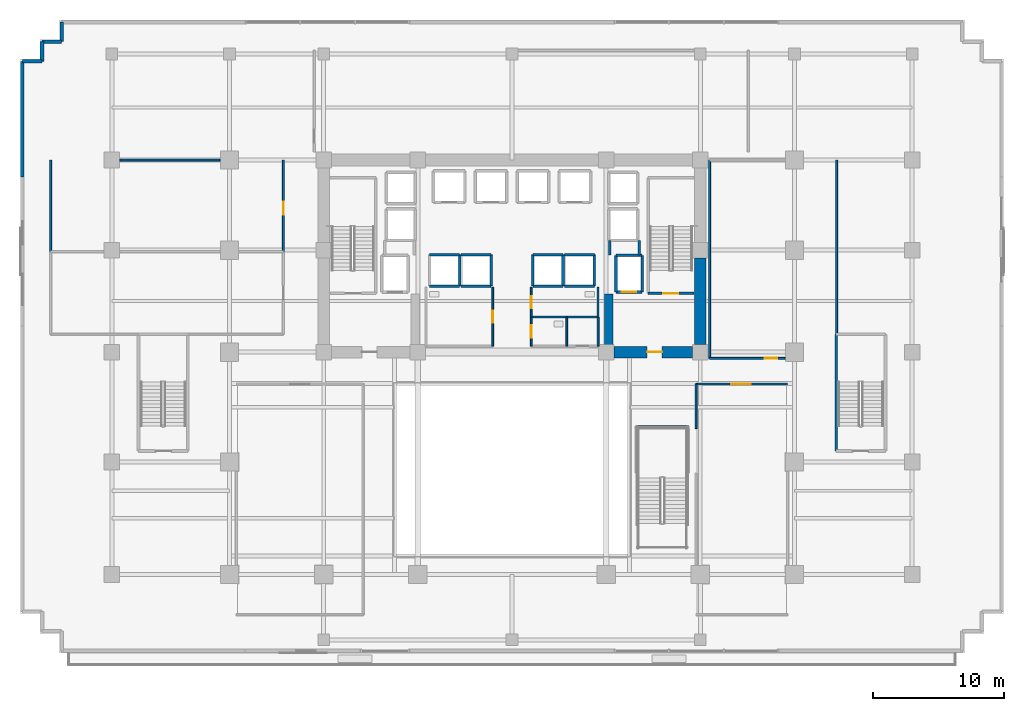
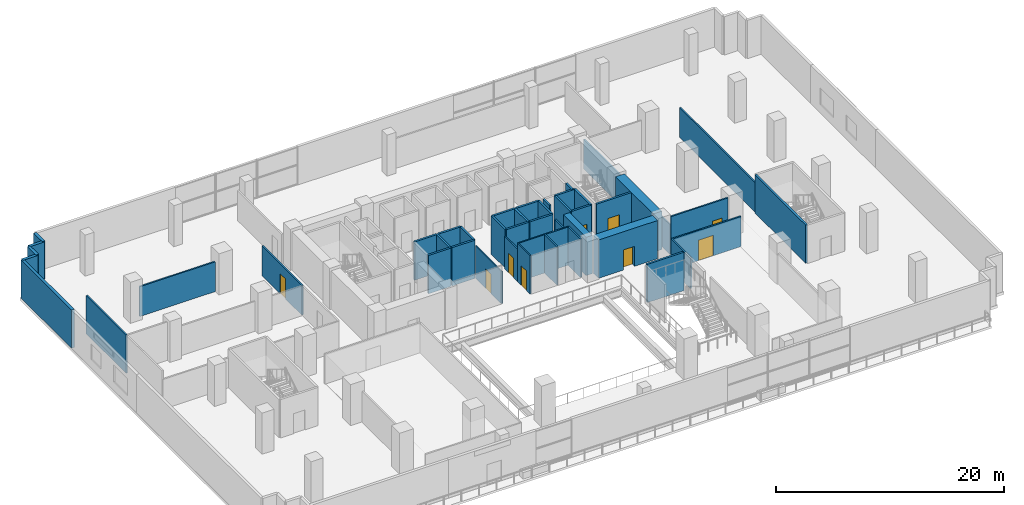
# One storey, part 13 of 22: 45 walls, 9 doors, 9 openings.
"""IFC4 building model written with IfcOpenShell, lengths in metres."""

from ifc_helpers import new_model, si_unit, direction, frame, frame_2d, origin, place, context, subcontext, project, spatial, rectangle, extrude, source, transform, mapped, material, layer, layer_set, type_object, element, fill, save


model = new_model("IFC4")

# Units and contexts
model_context = context("Model", 3, precision=1e-05, world=origin(), true_north=direction((0.0, 1.0)))
body_context = subcontext(model_context, "Body", "Model", "MODEL_VIEW")
ifc_project = project(units=[si_unit("LENGTHUNIT", "METRE"), si_unit("AREAUNIT", "SQUARE_METRE"), si_unit("VOLUMEUNIT", "CUBIC_METRE"), si_unit("PLANEANGLEUNIT", "RADIAN"), si_unit("MASSUNIT", "GRAM", prefix="KILO")], contexts=[model_context])

# Site, building, storey
site_placement = place(None, origin())
site = spatial("IfcSite", under=ifc_project, at=site_placement, CompositionType="ELEMENT")
building_placement = place(site_placement, origin())
building = spatial("IfcBuilding", under=site, at=building_placement, Name="Zarnakvel Exchange Tower", CompositionType="ELEMENT")
storey_placement = place(building_placement, frame((0.0, 0.0, 9.39990234375)))
storey = spatial("IfcBuildingStorey", under=building, at=storey_placement, Name="L02", CompositionType="ELEMENT", Elevation=9.39990234375)

# Wall
ifc_material_1 = material(Name="Concrete C80/95", Category="concrete")
ifc_layer_1 = layer(ifc_material_1, 0.89990234375)
ifc_layer_set_1 = layer_set([ifc_layer_1], Name="Concrete C80/95")
wall_type_1 = type_object("IfcWallType", Name="CW-C1", PredefinedType="SHEAR", material=ifc_layer_set_1)
wall_1_placement = place(storey_placement, frame((14.39990234375, -0.60009765625, 0.0), z_axis=(0.0, 0.0, 1.0), x_axis=(0.0, 1.0, 0.0)))
element("IfcWall", 1, at=wall_1_placement, inside=storey, type_object=wall_type_1, Name="L02 Rear Core Shear Wall E1 (CW-C1)", PredefinedType="SHEAR", context=body_context, shape_type="SweptSolid", body=[
    extrude(rectangle(XDim=6.60009765625, YDim=0.89990234375, at=frame_2d((3.300048828125, 0.0))), origin(), (0.0, 0.0, 1.0), 4.10009765625),
])

# Wall, opening, door
wall_2_placement = place(storey_placement, frame((13.800048828125, -1.199951171875, 0.0), z_axis=(0.0, 0.0, 1.0), x_axis=(-1.0, 0.0, 0.0)))
wall_2 = element("IfcWall", 2, at=wall_2_placement, inside=storey, type_object=wall_type_1, Name="L02 Rear Core Shear Wall SE (CW-C1)", PredefinedType="SHEAR", context=body_context, shape_type="SweptSolid", body=[
    extrude(rectangle(XDim=6.0, YDim=0.89990234375, at=frame_2d((3.0, 0.0))), origin(), (0.0, 0.0, 1.0), 4.10009765625),
])
opening_1_placement = place(wall_2_placement, frame((2.324951171875, 0.0, 0.0)))
opening_1 = element("IfcOpeningElement", 3, at=opening_1_placement, cuts=wall_2, Name="Opening D-L02-04", PredefinedType="OPENING", context=body_context, shape_type="SweptSolid", body=[
    extrude(rectangle(XDim=1.14990234375, YDim=2.14990234375, at=frame_2d((0.574951171875, 1.074951171875))), frame((0.0, 0.4599609375, 0.0), z_axis=(0.0, -1.0, 0.0), x_axis=(1.0, 0.0, 0.0)), (0.0, 0.0, 1.0), 0.919921875),
])
ifc_material_2 = material(Name="Painted Galvanised Steel S355", Category="steel")
door_type_1 = type_object("IfcDoorType", Name="DT-04", OperationType="NOTDEFINED", PredefinedType="DOOR", material=ifc_material_2)
shared_shape_1 = source(origin(), body_context, "Body", "SweptSolid", [
    extrude(rectangle(XDim=1.14990234375, YDim=2.14990234375, at=frame_2d((0.574951171875, 1.074951171875))), frame((0.0, 0.02490234375, 0.0), z_axis=(0.0, -1.0, 0.0), x_axis=(1.0, 0.0, 0.0)), (0.0, 0.0, 1.0), 0.050048828125),
])
door_1_placement = place(opening_1_placement, origin())
door_1 = element("IfcDoor", 4, at=door_1_placement, inside=storey, type_object=door_type_1, Name="L02 Firefighting Lobby East Door D-L02-04", OperationType="SINGLE_SWING_RIGHT", OverallHeight=2.14990234375, OverallWidth=1.14990234375, PredefinedType="DOOR", context=body_context, shape_type="MappedRepresentation", body=[
    mapped(shared_shape_1, transform((0.0, 0.0, 0.0), x_axis=(1.0, 0.0, 0.0), y_axis=(0.0, 1.0, 0.0), z_axis=(0.0, 0.0, 1.0), scale=1.0)),
])
fill(opening_1, door_1)

# Walls
ifc_layer_2 = layer(ifc_material_1, 0.64990234375)
ifc_layer_set_2 = layer_set([ifc_layer_2], Name="Concrete C80/95")
wall_type_2 = type_object("IfcWallType", Name="CW-C2", PredefinedType="SHEAR", material=ifc_layer_set_2)
wall_3_placement = place(storey_placement, frame((7.39990234375, -0.75, 0.0), z_axis=(0.0, 0.0, 1.0), x_axis=(0.0, 1.0, 0.0)))
element("IfcWall", 5, at=wall_3_placement, inside=storey, type_object=wall_type_2, Name="L02 Rear Core Shear Wall IE (CW-C2)", PredefinedType="SHEAR", context=body_context, shape_type="SweptSolid", body=[
    extrude(rectangle(XDim=4.0, YDim=0.64990234375, at=frame_2d((2.0, 0.0))), origin(), (0.0, 0.0, 1.0), 4.10009765625),
])
ifc_material_3 = material(Name="Precast concrete C40/50", Category="concrete")
ifc_layer_3 = layer(ifc_material_3, 0.280029296875)
ifc_layer_set_3 = layer_set([ifc_layer_3], Name="Precast concrete C40/50")
wall_type_3 = type_object("IfcWallType", Name="EW-01", PredefinedType="SOLIDWALL", material=ifc_layer_set_3)
wall_4_placement = place(storey_placement, frame((-37.43994140625, 21.0400390625, 0.0), z_axis=(0.0, 0.0, 1.0), x_axis=(0.0, -1.0, 0.0)))
element("IfcWall", 6, at=wall_4_placement, inside=storey, type_object=wall_type_3, Name="L02 Exterior Precast Spandrel Wall EWC-L02-02 (EW-01)", PredefinedType="SOLIDWALL", context=body_context, shape_type="SweptSolid", body=[
    extrude(rectangle(XDim=8.840087890625, YDim=0.280029296875, at=frame_2d((4.419921875, 0.0))), origin(), (0.0, 0.0, 1.0), 4.10009765625),
])
for number, where, z_axis, x_axis, name in (
    (7, (-35.93994140625, 21.0400390625, 0.0), (0.0, 0.0, 1.0), (-1.0, 0.0, 0.0), "L02 Exterior Precast Spandrel Wall EWC-L02-03 (EW-01)"),
    (8, (-35.93994140625, 22.5400390625, 0.0), (0.0, 0.0, 1.0), (0.0, -1.0, 0.0), "L02 Exterior Precast Spandrel Wall EWC-L02-04 (EW-01)"),
    (9, (-34.43994140625, 22.5400390625, 0.0), (0.0, 0.0, 1.0), (-1.0, 0.0, 0.0), "L02 Exterior Precast Spandrel Wall EWC-L02-05 (EW-01)"),
    (10, (-34.43994140625, 24.0400390625, 0.0), (0.0, 0.0, 1.0), (0.0, -1.0, 0.0), "L02 Exterior Precast Spandrel Wall EWC-L02-06 (EW-01)"),
):
    element("IfcWall", number, at=place(storey_placement, frame(where, z_axis=z_axis, x_axis=x_axis)), inside=storey, type_object=wall_type_3, Name=name, PredefinedType="SOLIDWALL", context=body_context, shape_type="SweptSolid", body=[
        extrude(rectangle(XDim=1.5, YDim=0.280029296875, at=frame_2d((0.75, 0.0))), origin(), (0.0, 0.0, 1.0), 4.10009765625),
    ])
ifc_material_4 = material(Name="Fire-Rated Gypsum Stud Partition", Category="gypsum")
ifc_layer_4 = layer(ifc_material_4, 0.14990234375)
ifc_layer_set_4 = layer_set([ifc_layer_4], Name="Fire-Rated Gypsum Stud Partition")
wall_type_4 = type_object("IfcWallType", Name="PT-01", PredefinedType="PARTITIONING", material=ifc_layer_set_4)
wall_5_placement = place(storey_placement, frame((6.580078125, 1.47998046875, 0.0), z_axis=(0.0, 0.0, 1.0), x_axis=(0.0, -1.0, 0.0)))
element("IfcWall", 11, at=wall_5_placement, inside=storey, type_object=wall_type_4, Name="L02 Partition Wall PWALL-L02-021 (PT-01)", PredefinedType="PARTITIONING", context=body_context, shape_type="SweptSolid", body=[
    extrude(rectangle(XDim=2.2099609375, YDim=0.14990234375, at=frame_2d((1.10498046875, 0.0))), origin(), (0.0, 0.0, 1.0), 4.10009765625),
])

# Wall, opening, door
wall_6_placement = place(storey_placement, frame((14.080078125, -3.6298828125, 0.0), z_axis=(0.0, 0.0, 1.0), x_axis=(1.0, 0.0, 0.0)))
wall_6 = element("IfcWall", 12, at=wall_6_placement, inside=storey, type_object=wall_type_4, Name="L02 Partition Wall PWALL-L02-035 (PT-01)", PredefinedType="PARTITIONING", context=body_context, shape_type="SweptSolid", body=[
    extrude(rectangle(XDim=7.0, YDim=0.14990234375, at=frame_2d((3.5, 0.0))), origin(), (0.0, 0.0, 1.0), 3.2392578125),
])
opening_2_placement = place(wall_6_placement, frame((2.669921875, 0.0, 0.0)))
opening_2 = element("IfcOpeningElement", 13, at=opening_2_placement, cuts=wall_6, Name="Opening D-L02-12", PredefinedType="OPENING", context=body_context, shape_type="SweptSolid", body=[
    extrude(rectangle(XDim=1.5, YDim=2.199951171875, at=frame_2d((0.75, 1.10009765625))), frame((0.0, 0.0849609375, 0.0), z_axis=(0.0, -1.0, 0.0), x_axis=(1.0, 0.0, 0.0)), (0.0, 0.0, 1.0), 0.169921875),
])
ifc_material_5 = material(Name="Timber Acoustic Veneer", Category="wood")
door_type_2 = type_object("IfcDoorType", Name="DT-03", OperationType="NOTDEFINED", PredefinedType="DOOR", material=ifc_material_5)
shared_shape_2 = source(origin(), body_context, "Body", "SweptSolid", [
    extrude(rectangle(XDim=1.5, YDim=2.199951171875, at=frame_2d((0.75, 1.10009765625))), frame((0.0, 0.02490234375, 0.0), z_axis=(0.0, -1.0, 0.0), x_axis=(1.0, 0.0, 0.0)), (0.0, 0.0, 1.0), 0.050048828125),
])
door_2_placement = place(opening_2_placement, origin())
door_2 = element("IfcDoor", 14, at=door_2_placement, inside=storey, type_object=door_type_2, Name="L02 Market Heritage Gallery Door D-L02-12", OperationType="DOUBLE_DOOR_SINGLE_SWING", OverallHeight=2.199951171875, OverallWidth=1.5, PredefinedType="DOOR", context=body_context, shape_type="MappedRepresentation", body=[
    mapped(shared_shape_2, transform((0.0, 0.0, 0.0), x_axis=(1.0, 0.0, 0.0), y_axis=(0.0, 1.0, 0.0), z_axis=(0.0, 0.0, 1.0), scale=1.0)),
])
fill(opening_2, door_2)

# Walls
wall_7_placement = place(storey_placement, frame((14.080078125, -7.050048828125, 0.0), z_axis=(0.0, 0.0, 1.0), x_axis=(0.0, 1.0, 0.0)))
element("IfcWall", 15, at=wall_7_placement, inside=storey, type_object=wall_type_4, Name="L02 Partition Wall PWALL-L02-037 (PT-01)", PredefinedType="PARTITIONING", context=body_context, shape_type="SweptSolid", body=[
    extrude(rectangle(XDim=3.420166015625, YDim=0.14990234375, at=frame_2d((1.7099609375, 0.0))), origin(), (0.0, 0.0, 1.0), 3.2900390625),
])
wall_8_placement = place(storey_placement, frame((-29.97998046875, 13.47998046875, 0.0), z_axis=(0.0, 0.0, 1.0), x_axis=(1.0, 0.0, 0.0)))
element("IfcWall", 16, at=wall_8_placement, inside=storey, type_object=wall_type_4, Name="L02 Partition Wall PWALL-L02-046 (PT-01)", PredefinedType="PARTITIONING", context=body_context, shape_type="SweptSolid", body=[
    extrude(rectangle(XDim=7.659912109375, YDim=0.14990234375, at=frame_2d((3.830078125, 0.0))), origin(), (0.0, 0.0, 1.0), 3.190185546875),
])
wall_9_placement = place(storey_placement, frame((-35.280029296875, 6.47998046875, 0.0), z_axis=(0.0, 0.0, 1.0), x_axis=(0.0, 1.0, 0.0)))
element("IfcWall", 17, at=wall_9_placement, inside=storey, type_object=wall_type_4, Name="L02 Partition Wall PWALL-L02-047 (PT-01)", PredefinedType="PARTITIONING", context=body_context, shape_type="SweptSolid", body=[
    extrude(rectangle(XDim=7.0, YDim=0.14990234375, at=frame_2d((3.5, 0.0))), origin(), (0.0, 0.0, 1.0), 4.10009765625),
])

# Wall, opening, door
wall_10_placement = place(storey_placement, frame((-17.47998046875, 13.47998046875, 0.0), z_axis=(0.0, 0.0, 1.0), x_axis=(0.0, -1.0, 0.0)))
wall_10 = element("IfcWall", 18, at=wall_10_placement, inside=storey, type_object=wall_type_4, Name="L02 Partition Wall PWALL-L02-048 (PT-01)", PredefinedType="PARTITIONING", context=body_context, shape_type="SweptSolid", body=[
    extrude(rectangle(XDim=7.0, YDim=0.14990234375, at=frame_2d((3.5, 0.0))), origin(), (0.0, 0.0, 1.0), 3.190185546875),
])
opening_3_placement = place(wall_10_placement, frame((3.18994140625, 0.0, 0.0)))
opening_3 = element("IfcOpeningElement", 19, at=opening_3_placement, cuts=wall_10, Name="Opening D-L02-14", PredefinedType="OPENING", context=body_context, shape_type="SweptSolid", body=[
    extrude(rectangle(XDim=0.97998046875, YDim=2.14990234375, at=frame_2d((0.489990234375, 1.074951171875))), frame((0.0, 0.0849609375, 0.0), z_axis=(0.0, -1.0, 0.0), x_axis=(1.0, 0.0, 0.0)), (0.0, 0.0, 1.0), 0.169921875),
])
door_type_3 = type_object("IfcDoorType", Name="DT-05", OperationType="NOTDEFINED", PredefinedType="DOOR", material=ifc_material_5)
shared_shape_3 = source(origin(), body_context, "Body", "SweptSolid", [
    extrude(rectangle(XDim=0.97998046875, YDim=2.14990234375, at=frame_2d((0.489990234375, 1.074951171875))), frame((0.0, 0.02490234375, 0.0), z_axis=(0.0, -1.0, 0.0), x_axis=(1.0, 0.0, 0.0)), (0.0, 0.0, 1.0), 0.050048828125),
])
door_3_placement = place(opening_3_placement, origin())
door_3 = element("IfcDoor", 20, at=door_3_placement, inside=storey, type_object=door_type_3, Name="L02 Editorial Newsroom Door D-L02-14", OperationType="SINGLE_SWING_RIGHT", OverallHeight=2.14990234375, OverallWidth=0.97998046875, PredefinedType="DOOR", context=body_context, shape_type="MappedRepresentation", body=[
    mapped(shared_shape_3, transform((0.0, 0.0, 0.0), x_axis=(1.0, 0.0, 0.0), y_axis=(0.0, 1.0, 0.0), z_axis=(0.0, 0.0, 1.0), scale=1.0)),
])
fill(opening_3, door_3)

wall_11_placement = place(storey_placement, frame((20.8798828125, -1.669921875, 0.0), z_axis=(0.0, 0.0, 1.0), x_axis=(-1.0, 0.0, 0.0)))
wall_11 = element("IfcWall", 21, at=wall_11_placement, inside=storey, type_object=wall_type_4, Name="L02 Partition Wall PWALL-L02-049 (PT-01)", PredefinedType="PARTITIONING", context=body_context, shape_type="SweptSolid", body=[
    extrude(rectangle(XDim=5.759765625, YDim=0.14990234375, at=frame_2d((2.8798828125, 0.0))), origin(), (0.0, 0.0, 1.0), 4.10009765625),
])
opening_4_placement = place(wall_11_placement, frame((0.590087890625, 0.0, 0.0)))
opening_4 = element("IfcOpeningElement", 22, at=opening_4_placement, cuts=wall_11, Name="Opening D-L02-15", PredefinedType="OPENING", context=body_context, shape_type="SweptSolid", body=[
    extrude(rectangle(XDim=0.97998046875, YDim=2.14990234375, at=frame_2d((0.489990234375, 1.074951171875))), frame((0.0, 0.0849609375, 0.0), z_axis=(0.0, -1.0, 0.0), x_axis=(1.0, 0.0, 0.0)), (0.0, 0.0, 1.0), 0.169921875),
])
door_4_placement = place(opening_4_placement, origin())
door_4 = element("IfcDoor", 23, at=door_4_placement, inside=storey, type_object=door_type_3, Name="L02 Listed Issuers Conference Room Door D-L02-15", OperationType="SINGLE_SWING_LEFT", OverallHeight=2.14990234375, OverallWidth=0.97998046875, PredefinedType="DOOR", context=body_context, shape_type="MappedRepresentation", body=[
    mapped(shared_shape_3, transform((0.0, 0.0, 0.0), x_axis=(1.0, 0.0, 0.0), y_axis=(0.0, 1.0, 0.0), z_axis=(0.0, 0.0, 1.0), scale=1.0)),
])
fill(opening_4, door_4)

# Walls
wall_12_placement = place(storey_placement, frame((15.1201171875, -1.669921875, 0.0), z_axis=(0.0, 0.0, 1.0), x_axis=(0.0, 1.0, 0.0)))
element("IfcWall", 24, at=wall_12_placement, inside=storey, type_object=wall_type_4, Name="L02 Partition Wall PWALL-L02-051 (PT-01)", PredefinedType="PARTITIONING", context=body_context, shape_type="SweptSolid", body=[
    extrude(rectangle(XDim=15.14990234375, YDim=0.14990234375, at=frame_2d((7.574951171875, 0.0))), origin(), (0.0, 0.0, 1.0), 3.190185546875),
])
wall_13_placement = place(storey_placement, frame((24.820068359375, 13.47998046875, 0.0), z_axis=(0.0, 0.0, 1.0), x_axis=(0.0, -1.0, 0.0)))
element("IfcWall", 25, at=wall_13_placement, inside=storey, type_object=wall_type_4, Name="L02 Partition Wall PWALL-L02-052 (PT-01)", PredefinedType="PARTITIONING", context=body_context, shape_type="SweptSolid", body=[
    extrude(rectangle(XDim=13.320068359375, YDim=0.14990234375, at=frame_2d((6.66015625, 0.0))), origin(), (0.0, 0.0, 1.0), 3.190185546875),
])
ifc_layer_5 = layer(ifc_material_4, 0.179931640625)
ifc_layer_set_5 = layer_set([ifc_layer_5], Name="Fire-Rated Gypsum Stud Partition")
wall_type_5 = type_object("IfcWallType", Name="PT-02", PredefinedType="PARTITIONING", material=ifc_layer_set_5)
wall_14_placement = place(storey_placement, frame((7.469970703125, 6.239990234375, 0.0), z_axis=(0.0, 0.0, 1.0), x_axis=(0.0, 1.0, 0.0)))
element("IfcWall", 26, at=wall_14_placement, inside=storey, type_object=wall_type_5, Name="L02 Partition Wall PWALL-L02-009 (PT-02)", PredefinedType="PARTITIONING", context=body_context, shape_type="SweptSolid", body=[
    extrude(rectangle(XDim=1.090087890625, YDim=0.179931640625, at=frame_2d((0.544921875, 0.0))), origin(), (0.0, 0.0, 1.0), 3.190185546875),
])
wall_15_placement = place(storey_placement, frame((9.72998046875, 7.330078125, 0.0), z_axis=(0.0, 0.0, 1.0), x_axis=(0.0, -1.0, 0.0)))
element("IfcWall", 27, at=wall_15_placement, inside=storey, type_object=wall_type_5, Name="L02 Partition Wall PWALL-L02-010 (PT-02)", PredefinedType="PARTITIONING", context=body_context, shape_type="SweptSolid", body=[
    extrude(rectangle(XDim=1.090087890625, YDim=0.179931640625, at=frame_2d((0.544921875, 0.0))), origin(), (0.0, 0.0, 1.0), 4.10009765625),
])

# Wall, opening, door
ifc_material_6 = material(Name="Moisture-Resistant Tile-Faced Partition", Category="gypsum")
ifc_layer_6 = layer(ifc_material_6, 0.135009765625)
ifc_layer_set_6 = layer_set([ifc_layer_6], Name="Moisture-Resistant Tile-Faced Partition")
wall_type_6 = type_object("IfcWallType", Name="PT-03", PredefinedType="PARTITIONING", material=ifc_layer_set_6)
wall_16_placement = place(storey_placement, frame((-1.469970703125, 3.760009765625, 0.0), z_axis=(0.0, 0.0, 1.0), x_axis=(0.0, -1.0, 0.0)))
wall_16 = element("IfcWall", 28, at=wall_16_placement, inside=storey, type_object=wall_type_6, Name="L02 Partition Wall PWALL-L02-013 (PT-03)", PredefinedType="PARTITIONING", context=body_context, shape_type="SweptSolid", body=[
    extrude(rectangle(XDim=4.489990234375, YDim=0.135009765625, at=frame_2d((2.2451171875, 0.0))), origin(), (0.0, 0.0, 1.0), 3.472900390625),
])
opening_5_placement = place(wall_16_placement, frame((1.800048828125, 0.0, 0.0)))
opening_5 = element("IfcOpeningElement", 29, at=opening_5_placement, cuts=wall_16, Name="Opening D-L02-05", PredefinedType="OPENING", context=body_context, shape_type="SweptSolid", body=[
    extrude(rectangle(XDim=0.919921875, YDim=2.10009765625, at=frame_2d((0.4599609375, 1.050048828125))), frame((0.0, 0.077392578125, 0.0), z_axis=(0.0, -1.0, 0.0), x_axis=(1.0, 0.0, 0.0)), (0.0, 0.0, 1.0), 0.155029296875),
])
ifc_material_7 = material(Name="Moisture-Resistant Laminate Timber", Category="wood")
door_type_4 = type_object("IfcDoorType", Name="DT-07", OperationType="NOTDEFINED", PredefinedType="DOOR", material=ifc_material_7)
shared_shape_4 = source(origin(), body_context, "Body", "SweptSolid", [
    extrude(rectangle(XDim=0.919921875, YDim=2.10009765625, at=frame_2d((0.4599609375, 1.050048828125))), frame((0.0, 0.02490234375, 0.0), z_axis=(0.0, -1.0, 0.0), x_axis=(1.0, 0.0, 0.0)), (0.0, 0.0, 1.0), 0.050048828125),
])
door_5_placement = place(opening_5_placement, origin())
door_5 = element("IfcDoor", 30, at=door_5_placement, inside=storey, type_object=door_type_4, Name="L02 Male Toilet Door D-L02-05", OperationType="SINGLE_SWING_LEFT", OverallHeight=2.10009765625, OverallWidth=0.919921875, PredefinedType="DOOR", context=body_context, shape_type="MappedRepresentation", body=[
    mapped(shared_shape_4, transform((0.0, 0.0, 0.0), x_axis=(1.0, 0.0, 0.0), y_axis=(0.0, 1.0, 0.0), z_axis=(0.0, 0.0, 1.0), scale=1.0)),
])
fill(opening_5, door_5)

# Wall
wall_17_placement = place(storey_placement, frame((6.580078125, 1.47998046875, 0.0), z_axis=(0.0, 0.0, 1.0), x_axis=(-1.0, 0.0, 0.0)))
element("IfcWall", 31, at=wall_17_placement, inside=storey, type_object=wall_type_6, Name="L02 Partition Wall PWALL-L02-014 (PT-03)", PredefinedType="PARTITIONING", context=body_context, shape_type="SweptSolid", body=[
    extrude(rectangle(XDim=5.110107421875, YDim=0.135009765625, at=frame_2d((2.55517578125, 0.0))), origin(), (0.0, 0.0, 1.0), 4.10009765625),
])

# Wall, opening, door
wall_18_placement = place(storey_placement, frame((1.469970703125, 1.47998046875, 0.0), z_axis=(0.0, 0.0, 1.0), x_axis=(0.0, 1.0, 0.0)))
wall_18 = element("IfcWall", 32, at=wall_18_placement, inside=storey, type_object=wall_type_6, Name="L02 Partition Wall PWALL-L02-015 (PT-03)", PredefinedType="PARTITIONING", context=body_context, shape_type="SweptSolid", body=[
    extrude(rectangle(XDim=2.280029296875, YDim=0.135009765625, at=frame_2d((1.14013671875, 0.0))), origin(), (0.0, 0.0, 1.0), 3.472900390625),
])
opening_6_placement = place(wall_18_placement, frame((0.679931640625, 0.0, 0.0)))
opening_6 = element("IfcOpeningElement", 33, at=opening_6_placement, cuts=wall_18, Name="Opening D-L02-06", PredefinedType="OPENING", context=body_context, shape_type="SweptSolid", body=[
    extrude(rectangle(XDim=0.919921875, YDim=2.10009765625, at=frame_2d((0.4599609375, 1.050048828125))), frame((0.0, 0.077392578125, 0.0), z_axis=(0.0, -1.0, 0.0), x_axis=(1.0, 0.0, 0.0)), (0.0, 0.0, 1.0), 0.155029296875),
])
door_6_placement = place(opening_6_placement, origin())
door_6 = element("IfcDoor", 34, at=door_6_placement, inside=storey, type_object=door_type_4, Name="L02 Female Toilet Door D-L02-06", OperationType="SINGLE_SWING_RIGHT", OverallHeight=2.10009765625, OverallWidth=0.919921875, PredefinedType="DOOR", context=body_context, shape_type="MappedRepresentation", body=[
    mapped(shared_shape_4, transform((0.0, 0.0, 0.0), x_axis=(1.0, 0.0, 0.0), y_axis=(0.0, 1.0, 0.0), z_axis=(0.0, 0.0, 1.0), scale=1.0)),
])
fill(opening_6, door_6)

# Wall
wall_19_placement = place(storey_placement, frame((6.580078125, 3.760009765625, 0.0), z_axis=(0.0, 0.0, 1.0), x_axis=(0.0, -1.0, 0.0)))
element("IfcWall", 35, at=wall_19_placement, inside=storey, type_object=wall_type_6, Name="L02 Partition Wall PWALL-L02-016 (PT-03)", PredefinedType="PARTITIONING", context=body_context, shape_type="SweptSolid", body=[
    extrude(rectangle(XDim=2.280029296875, YDim=0.135009765625, at=frame_2d((1.14013671875, 0.0))), origin(), (0.0, 0.0, 1.0), 3.472900390625),
])

# Wall, opening, door
wall_20_placement = place(storey_placement, frame((1.469970703125, -0.72998046875, 0.0), z_axis=(0.0, 0.0, 1.0), x_axis=(0.0, 1.0, 0.0)))
wall_20 = element("IfcWall", 36, at=wall_20_placement, inside=storey, type_object=wall_type_6, Name="L02 Partition Wall PWALL-L02-018 (PT-03)", PredefinedType="PARTITIONING", context=body_context, shape_type="SweptSolid", body=[
    extrude(rectangle(XDim=2.2099609375, YDim=0.135009765625, at=frame_2d((1.10498046875, 0.0))), origin(), (0.0, 0.0, 1.0), 4.10009765625),
])
opening_7_placement = place(wall_20_placement, frame((0.64990234375, 0.0, 0.0)))
opening_7 = element("IfcOpeningElement", 37, at=opening_7_placement, cuts=wall_20, Name="Opening D-L02-07", PredefinedType="OPENING", context=body_context, shape_type="SweptSolid", body=[
    extrude(rectangle(XDim=0.919921875, YDim=2.10009765625, at=frame_2d((0.4599609375, 1.050048828125))), frame((0.0, 0.077392578125, 0.0), z_axis=(0.0, -1.0, 0.0), x_axis=(1.0, 0.0, 0.0)), (0.0, 0.0, 1.0), 0.155029296875),
])
door_7_placement = place(opening_7_placement, origin())
door_7 = element("IfcDoor", 38, at=door_7_placement, inside=storey, type_object=door_type_4, Name="L02 Accessible Toilet Door D-L02-07", OperationType="SINGLE_SWING_LEFT", OverallHeight=2.10009765625, OverallWidth=0.919921875, PredefinedType="DOOR", context=body_context, shape_type="MappedRepresentation", body=[
    mapped(shared_shape_4, transform((0.0, 0.0, 0.0), x_axis=(1.0, 0.0, 0.0), y_axis=(0.0, 1.0, 0.0), z_axis=(0.0, 0.0, 1.0), scale=1.0)),
])
fill(opening_7, door_7)

# Wall
wall_21_placement = place(storey_placement, frame((4.179931640625, 1.47998046875, 0.0), z_axis=(0.0, 0.0, 1.0), x_axis=(0.0, -1.0, 0.0)))
element("IfcWall", 39, at=wall_21_placement, inside=storey, type_object=wall_type_6, Name="L02 Partition Wall PWALL-L02-019 (PT-03)", PredefinedType="PARTITIONING", context=body_context, shape_type="SweptSolid", body=[
    extrude(rectangle(XDim=2.2099609375, YDim=0.135009765625, at=frame_2d((1.10498046875, 0.0))), origin(), (0.0, 0.0, 1.0), 4.10009765625),
])

# Wall, opening, door
ifc_material_8 = material(Name="Concrete C40/50", Category="concrete")
ifc_layer_7 = layer(ifc_material_8, 0.199951171875)
ifc_layer_set_7 = layer_set([ifc_layer_7], Name="Concrete C40/50")
wall_type_7 = type_object("IfcWallType", Name="SW-01", PredefinedType="SOLIDWALL", material=ifc_layer_set_7)
wall_22_placement = place(storey_placement, frame((9.949951171875, 3.39990234375, 0.0), z_axis=(0.0, 0.0, 1.0), x_axis=(-1.0, 0.0, 0.0)))
wall_22 = element("IfcWall", 40, at=wall_22_placement, inside=storey, type_object=wall_type_7, Name="L02 FL-02 Hoistway Wall South", PredefinedType="SOLIDWALL", context=body_context, shape_type="SweptSolid", body=[
    extrude(rectangle(XDim=2.0, YDim=0.199951171875, at=frame_2d((1.0, 0.0))), origin(), (0.0, 0.0, 1.0), 4.10009765625),
])
opening_8_placement = place(wall_22_placement, frame((0.449951171875, 0.0, 0.0)))
opening_8 = element("IfcOpeningElement", 41, at=opening_8_placement, cuts=wall_22, Name="Opening LD-FL-02-L02", PredefinedType="OPENING", context=body_context, shape_type="SweptSolid", body=[
    extrude(rectangle(XDim=1.10009765625, YDim=2.199951171875, at=frame_2d((0.550048828125, 1.10009765625))), frame((0.0, 0.10986328125, 0.0), z_axis=(0.0, -1.0, 0.0), x_axis=(1.0, 0.0, 0.0)), (0.0, 0.0, 1.0), 0.219970703125),
])
ifc_material_9 = material(Name="Brushed Stainless Steel", Category="steel")
door_type_5 = type_object("IfcDoorType", Name="LDT-01", OperationType="NOTDEFINED", PredefinedType="DOOR", material=ifc_material_9)
shared_shape_5 = source(origin(), body_context, "Body", "SweptSolid", [
    extrude(rectangle(XDim=1.10009765625, YDim=2.199951171875, at=frame_2d((0.550048828125, 1.10009765625))), frame((0.0, 0.02490234375, 0.0), z_axis=(0.0, -1.0, 0.0), x_axis=(1.0, 0.0, 0.0)), (0.0, 0.0, 1.0), 0.050048828125),
])
door_8_placement = place(opening_8_placement, origin())
door_8 = element("IfcDoor", 42, at=door_8_placement, inside=storey, type_object=door_type_5, Name="L02 FL-02 Lift Landing Door LD-FL-02-L02", OperationType="DOUBLE_DOOR_SLIDING", OverallHeight=2.199951171875, OverallWidth=1.10009765625, PredefinedType="DOOR", context=body_context, shape_type="MappedRepresentation", body=[
    mapped(shared_shape_5, transform((0.0, 0.0, 0.0), x_axis=(1.0, 0.0, 0.0), y_axis=(0.0, 1.0, 0.0), z_axis=(0.0, 0.0, 1.0), scale=1.0)),
])
fill(opening_8, door_8)

# Walls
wall_23_placement = place(storey_placement, frame((7.949951171875, 6.199951171875, 0.0), z_axis=(0.0, 0.0, 1.0), x_axis=(1.0, 0.0, 0.0)))
element("IfcWall", 43, at=wall_23_placement, inside=storey, type_object=wall_type_7, Name="L02 FL-02 Hoistway Wall North", PredefinedType="SOLIDWALL", context=body_context, shape_type="SweptSolid", body=[
    extrude(rectangle(XDim=2.0, YDim=0.199951171875, at=frame_2d((1.0, 0.0))), origin(), (0.0, 0.0, 1.0), 4.10009765625),
])
for number, where, z_axis, x_axis, name in (
    (44, (7.949951171875, 3.39990234375, 0.0), (0.0, 0.0, 1.0), (0.0, 1.0, 0.0), "L02 FL-02 Hoistway Wall West"),
    (45, (9.949951171875, 6.199951171875, 0.0), (0.0, 0.0, 1.0), (0.0, -1.0, 0.0), "L02 FL-02 Hoistway Wall East"),
):
    element("IfcWall", number, at=place(storey_placement, frame(where, z_axis=z_axis, x_axis=x_axis)), inside=storey, type_object=wall_type_7, Name=name, PredefinedType="SOLIDWALL", context=body_context, shape_type="SweptSolid", body=[
        extrude(rectangle(XDim=2.800048828125, YDim=0.199951171875, at=frame_2d((1.39990234375, 0.0))), origin(), (0.0, 0.0, 1.0), 4.10009765625),
    ])
for number, where, z_axis, x_axis, name in (
    (46, (-4.0, 3.85009765625, 0.0), (0.0, 0.0, 1.0), (-1.0, 0.0, 0.0), "L02 PL-05 Hoistway Wall South"),
    (47, (-6.300048828125, 6.25, 0.0), (0.0, 0.0, 1.0), (1.0, 0.0, 0.0), "L02 PL-05 Hoistway Wall North"),
):
    element("IfcWall", number, at=place(storey_placement, frame(where, z_axis=z_axis, x_axis=x_axis)), inside=storey, type_object=wall_type_7, Name=name, PredefinedType="SOLIDWALL", context=body_context, shape_type="SweptSolid", body=[
        extrude(rectangle(XDim=2.300048828125, YDim=0.199951171875, at=frame_2d((1.14990234375, 0.0))), origin(), (0.0, 0.0, 1.0), 4.10009765625),
    ])
wall_24_placement = place(storey_placement, frame((-4.0, 6.25, 0.0), z_axis=(0.0, 0.0, 1.0), x_axis=(0.0, -1.0, 0.0)))
element("IfcWall", 48, at=wall_24_placement, inside=storey, type_object=wall_type_7, Name="L02 PL-05 Hoistway Wall East", PredefinedType="SOLIDWALL", context=body_context, shape_type="SweptSolid", body=[
    extrude(rectangle(XDim=2.39990234375, YDim=0.199951171875, at=frame_2d((1.199951171875, 0.0))), origin(), (0.0, 0.0, 1.0), 4.10009765625),
])
for number, where, z_axis, x_axis, name in (
    (49, (-1.60009765625, 3.85009765625, 0.0), (0.0, 0.0, 1.0), (-1.0, 0.0, 0.0), "L02 PL-06 Hoistway Wall South"),
    (50, (-3.89990234375, 6.25, 0.0), (0.0, 0.0, 1.0), (1.0, 0.0, 0.0), "L02 PL-06 Hoistway Wall North"),
):
    element("IfcWall", number, at=place(storey_placement, frame(where, z_axis=z_axis, x_axis=x_axis)), inside=storey, type_object=wall_type_7, Name=name, PredefinedType="SOLIDWALL", context=body_context, shape_type="SweptSolid", body=[
        extrude(rectangle(XDim=2.2998046875, YDim=0.199951171875, at=frame_2d((1.14990234375, 0.0))), origin(), (0.0, 0.0, 1.0), 4.10009765625),
    ])
wall_25_placement = place(storey_placement, frame((-1.60009765625, 6.25, 0.0), z_axis=(0.0, 0.0, 1.0), x_axis=(0.0, -1.0, 0.0)))
element("IfcWall", 51, at=wall_25_placement, inside=storey, type_object=wall_type_7, Name="L02 PL-06 Hoistway Wall East", PredefinedType="SOLIDWALL", context=body_context, shape_type="SweptSolid", body=[
    extrude(rectangle(XDim=2.39990234375, YDim=0.199951171875, at=frame_2d((1.199951171875, 0.0))), origin(), (0.0, 0.0, 1.0), 4.10009765625),
])
for number, where, z_axis, x_axis, name in (
    (52, (3.89990234375, 3.85009765625, 0.0), (0.0, 0.0, 1.0), (-1.0, 0.0, 0.0), "L02 PL-07 Hoistway Wall South"),
    (53, (1.60009765625, 6.25, 0.0), (0.0, 0.0, 1.0), (1.0, 0.0, 0.0), "L02 PL-07 Hoistway Wall North"),
):
    element("IfcWall", number, at=place(storey_placement, frame(where, z_axis=z_axis, x_axis=x_axis)), inside=storey, type_object=wall_type_7, Name=name, PredefinedType="SOLIDWALL", context=body_context, shape_type="SweptSolid", body=[
        extrude(rectangle(XDim=2.2998046875, YDim=0.199951171875, at=frame_2d((1.14990234375, 0.0))), origin(), (0.0, 0.0, 1.0), 4.10009765625),
    ])
for number, where, z_axis, x_axis, name in (
    (54, (1.60009765625, 3.85009765625, 0.0), (0.0, 0.0, 1.0), (0.0, 1.0, 0.0), "L02 PL-07 Hoistway Wall West"),
    (55, (3.89990234375, 6.25, 0.0), (0.0, 0.0, 1.0), (0.0, -1.0, 0.0), "L02 PL-07 Hoistway Wall East"),
):
    element("IfcWall", number, at=place(storey_placement, frame(where, z_axis=z_axis, x_axis=x_axis)), inside=storey, type_object=wall_type_7, Name=name, PredefinedType="SOLIDWALL", context=body_context, shape_type="SweptSolid", body=[
        extrude(rectangle(XDim=2.39990234375, YDim=0.199951171875, at=frame_2d((1.199951171875, 0.0))), origin(), (0.0, 0.0, 1.0), 4.10009765625),
    ])
for number, where, z_axis, x_axis, name in (
    (56, (6.300048828125, 3.85009765625, 0.0), (0.0, 0.0, 1.0), (-1.0, 0.0, 0.0), "L02 PL-08 Hoistway Wall South"),
    (57, (4.0, 6.25, 0.0), (0.0, 0.0, 1.0), (1.0, 0.0, 0.0), "L02 PL-08 Hoistway Wall North"),
):
    element("IfcWall", number, at=place(storey_placement, frame(where, z_axis=z_axis, x_axis=x_axis)), inside=storey, type_object=wall_type_7, Name=name, PredefinedType="SOLIDWALL", context=body_context, shape_type="SweptSolid", body=[
        extrude(rectangle(XDim=2.300048828125, YDim=0.199951171875, at=frame_2d((1.14990234375, 0.0))), origin(), (0.0, 0.0, 1.0), 4.10009765625),
    ])
wall_26_placement = place(storey_placement, frame((6.300048828125, 6.25, 0.0), z_axis=(0.0, 0.0, 1.0), x_axis=(0.0, -1.0, 0.0)))
element("IfcWall", 58, at=wall_26_placement, inside=storey, type_object=wall_type_7, Name="L02 PL-08 Hoistway Wall East", PredefinedType="SOLIDWALL", context=body_context, shape_type="SweptSolid", body=[
    extrude(rectangle(XDim=2.39990234375, YDim=0.199951171875, at=frame_2d((1.199951171875, 0.0))), origin(), (0.0, 0.0, 1.0), 4.10009765625),
])
ifc_layer_8 = layer(ifc_material_8, 0.199951171875)
ifc_layer_set_8 = layer_set([ifc_layer_8], Name="Concrete C40/50")
wall_type_8 = type_object("IfcWallType", Name="SW-02", PredefinedType="SOLIDWALL", material=ifc_layer_set_8)
wall_27_placement = place(storey_placement, frame((9.64990234375, -6.919921875, 0.0), z_axis=(0.0, 0.0, 1.0), x_axis=(1.0, 0.0, 0.0)))
element("IfcWall", 59, at=wall_27_placement, inside=storey, type_object=wall_type_8, Name="L02 Atrium Feature Stair ST-06 Bearing Wall N", PredefinedType="SOLIDWALL", context=body_context, shape_type="SweptSolid", body=[
    extrude(rectangle(XDim=3.7001953125, YDim=0.199951171875, at=frame_2d((1.85009765625, 0.0))), origin(), (0.0, 0.0, 1.0), 4.10009765625),
])

# Wall, opening, door
wall_28_placement = place(storey_placement, frame((13.929931640625, 3.2900390625, 0.0), z_axis=(0.0, 0.0, 1.0), x_axis=(-1.0, 0.0, 0.0)))
wall_28 = element("IfcWall", 60, at=wall_28_placement, inside=storey, type_object=wall_type_8, Name="L02 Stairwell Core Wall PWALL-L02-004 (SW-02)", PredefinedType="SOLIDWALL", context=body_context, shape_type="SweptSolid", body=[
    extrude(rectangle(XDim=3.52001953125, YDim=0.199951171875, at=frame_2d((1.760009765625, 0.0))), origin(), (0.0, 0.0, 1.0), 4.10009765625),
])
opening_9_placement = place(wall_28_placement, frame((1.205078125, 0.0, 0.0)))
opening_9 = element("IfcOpeningElement", 61, at=opening_9_placement, cuts=wall_28, Name="Opening D-L02-02", PredefinedType="OPENING", context=body_context, shape_type="SweptSolid", body=[
    extrude(rectangle(XDim=1.14990234375, YDim=2.14990234375, at=frame_2d((0.574951171875, 1.074951171875))), frame((0.0, 0.10986328125, 0.0), z_axis=(0.0, -1.0, 0.0), x_axis=(1.0, 0.0, 0.0)), (0.0, 0.0, 1.0), 0.219970703125),
])
door_9_placement = place(opening_9_placement, origin())
door_9 = element("IfcDoor", 62, at=door_9_placement, inside=storey, type_object=door_type_1, Name="L02 Stairwell ST-02 Door D-L02-02", OperationType="SINGLE_SWING_RIGHT", OverallHeight=2.14990234375, OverallWidth=1.14990234375, PredefinedType="DOOR", context=body_context, shape_type="MappedRepresentation", body=[
    mapped(shared_shape_1, transform((0.0, 0.0, 0.0), x_axis=(1.0, 0.0, 0.0), y_axis=(0.0, 1.0, 0.0), z_axis=(0.0, 0.0, 1.0), scale=1.0)),
])
fill(opening_9, door_9)

# Wall
wall_29_placement = place(storey_placement, frame((24.7900390625, -8.760009765625, 0.0), z_axis=(0.0, 0.0, 1.0), x_axis=(0.0, 1.0, 0.0)))
element("IfcWall", 63, at=wall_29_placement, inside=storey, type_object=wall_type_8, Name="L02 Stairwell Core Wall PWALL-L02-028 (SW-02)", PredefinedType="SOLIDWALL", context=body_context, shape_type="SweptSolid", body=[
    extrude(rectangle(XDim=8.919921875, YDim=0.199951171875, at=frame_2d((4.4599609375, 0.0))), origin(), (0.0, 0.0, 1.0), 4.10009765625),
])

save(model, "model.ifc")
